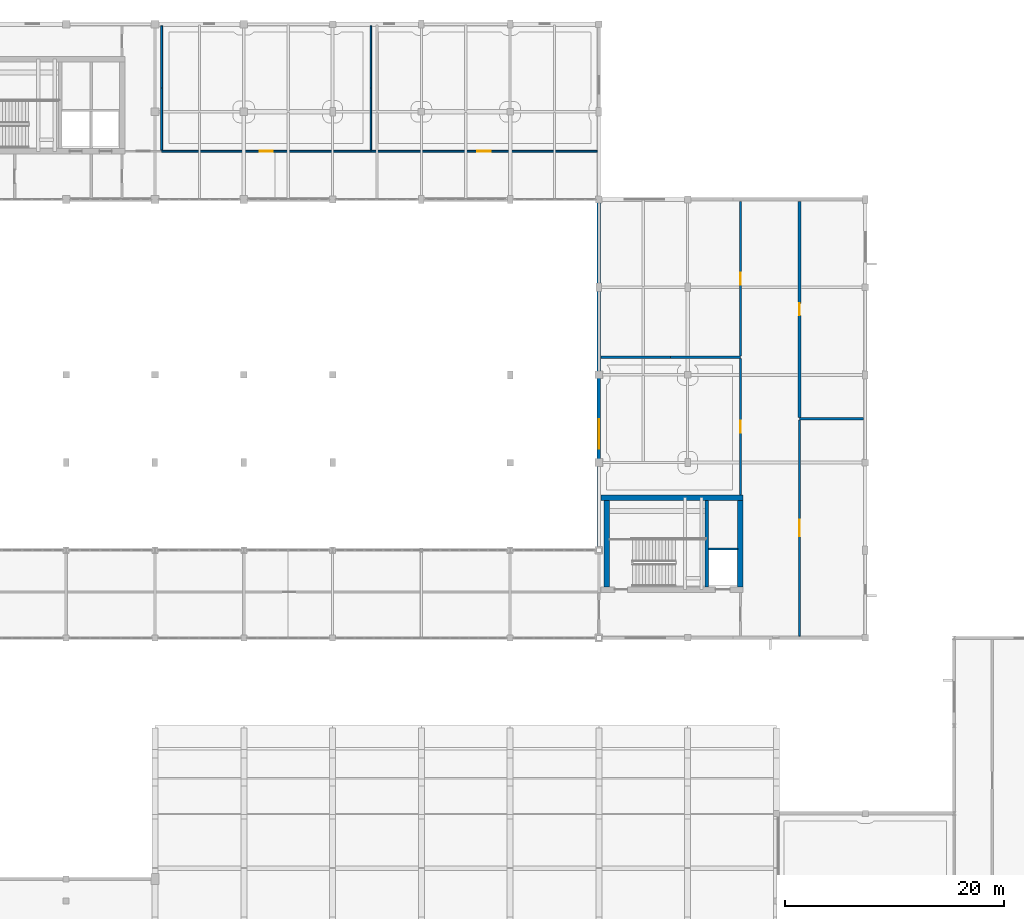
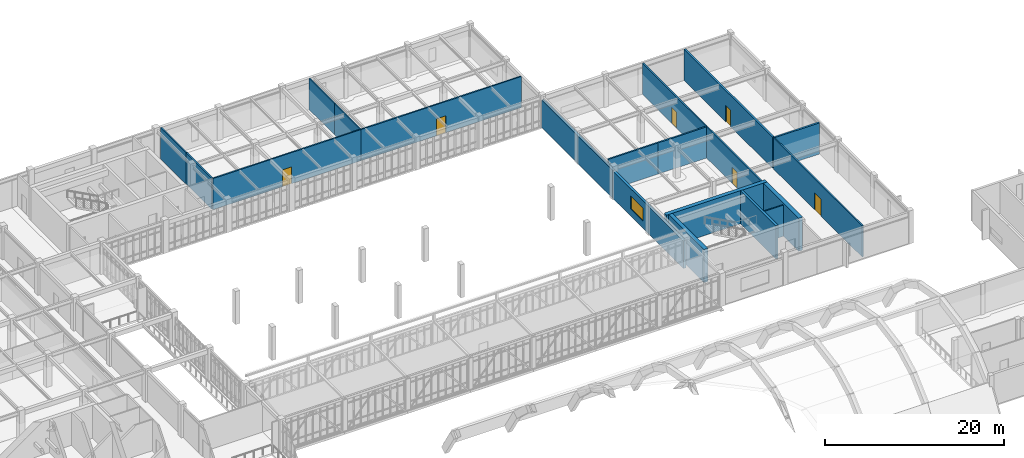
# One storey, part 53 of 67: 20 walls, 6 doors, 1 window, 7 openings.
"""IFC4 building model written with IfcOpenShell, lengths in metres."""

import ifcopenshell
import ifcopenshell.guid

model = None  # the IFC model being written
_history = None  # IfcOwnerHistory: only IFC2X3 demands one
_inside = {}  # id of a spatial element -> (the spatial element, [elements in it])
_under = {}  # id of a project, library or spatial element -> (it, [spatial elements below it])
_declared = {}  # id of a project -> (the project, [libraries it declares])
_typed = {}  # id of a type object -> (the type object, [elements of that type])
_made_of = {}  # id of a material, layer set ... -> (it, [elements and type objects made of it])


def new_model(schema):
    """Start an empty IFC model of exactly this schema.

    Asked for "IFC4X3", IfcOpenShell would pick the latest addendum, in which some entities
    have other attributes; the version numbers below select the first issue.
    IFC2X3 requires an IfcOwnerHistory on every rooted entity: one is made here for all.
    """
    global model, _history
    if schema == "IFC4X3":
        model = ifcopenshell.file(schema_version=(4, 3, 0, 0))
    else:
        model = ifcopenshell.file(schema=schema)
    _inside.clear()
    _under.clear()
    _declared.clear()
    _typed.clear()
    _made_of.clear()
    _history = None
    if model.schema == "IFC2X3":
        org = make("IfcOrganization", Name="unknown")
        user = make(
            "IfcPersonAndOrganization",
            ThePerson=make("IfcPerson", FamilyName="unknown"),
            TheOrganization=org,
        )
        app = make(
            "IfcApplication",
            ApplicationDeveloper=org,
            Version="unknown",
            ApplicationFullName="unknown",
            ApplicationIdentifier="unknown",
        )
        _history = make(
            "IfcOwnerHistory",
            OwningUser=user,
            OwningApplication=app,
            ChangeAction="ADDED",
            CreationDate=0,
        )
    return model


def make(cls, **values):
    """One entity of the class cls with the attributes given. An attribute that is None is left unset."""
    return model.create_entity(
        cls, **{name: value for name, value in values.items() if value is not None}
    )


def rooted(cls, **values):
    """An entity with a GlobalId (a new one), such as an element, a storey or a relation."""
    return make(cls, GlobalId=ifcopenshell.guid.new(), OwnerHistory=_history, **values)


def si_unit(unit_type, name, prefix=None):
    """IfcSIUnit, for example si_unit("LENGTHUNIT", "METRE", prefix="MILLI")."""
    return make("IfcSIUnit", UnitType=unit_type, Prefix=prefix, Name=name)


def assignment(units):
    """IfcUnitAssignment: the units of a project."""
    return None if units is None else make("IfcUnitAssignment", Units=units)


def point(xyz):
    """IfcCartesianPoint."""
    return None if xyz is None else make("IfcCartesianPoint", Coordinates=xyz)


def direction(xyz):
    """IfcDirection."""
    return None if xyz is None else make("IfcDirection", DirectionRatios=xyz)


def frame(location, z_axis=None, x_axis=None):
    """IfcAxis2Placement3D, a coordinate frame: its origin and axes. An axis left out is left unset."""
    return make(
        "IfcAxis2Placement3D",
        Location=point(location),
        Axis=direction(z_axis),
        RefDirection=direction(x_axis),
    )


def frame_2d(location, x_axis=None):
    """IfcAxis2Placement2D, a coordinate frame in the plane: its origin and x axis."""
    return make(
        "IfcAxis2Placement2D", Location=point(location), RefDirection=direction(x_axis)
    )


def origin():
    """The frame at (0, 0, 0) with its axes left unset."""
    return frame((0.0, 0.0, 0.0))


def place(relative_to, where):
    """IfcLocalPlacement: puts the frame where relative to a parent placement (None: the world)."""
    return make(
        "IfcLocalPlacement", PlacementRelTo=relative_to, RelativePlacement=where
    )


def context(
    kind, dimensions, precision=None, world=None, true_north=None, identifier=None
):
    """IfcGeometricRepresentationContext, for example the 3D "Model" context."""
    return make(
        "IfcGeometricRepresentationContext",
        ContextIdentifier=identifier,
        ContextType=kind,
        CoordinateSpaceDimension=dimensions,
        Precision=precision,
        WorldCoordinateSystem=world,
        TrueNorth=true_north,
    )


def subcontext(parent, identifier, kind, view, scale=None):
    """IfcGeometricRepresentationSubContext, for example "Body" below "Model"."""
    return make(
        "IfcGeometricRepresentationSubContext",
        ContextIdentifier=identifier,
        ContextType=kind,
        ParentContext=parent,
        TargetScale=scale,
        TargetView=view,
    )


def project(units=None, contexts=None):
    """IfcProject with its units and contexts."""
    return rooted(
        "IfcProject",
        Name="project",
        RepresentationContexts=contexts,
        UnitsInContext=assignment(units),
    )


def spatial(cls, under=None, at=None, **own):
    """A site, building, storey or space (cls), placed at a placement, below another one or the project."""
    s = rooted(cls, ObjectPlacement=at, **own)
    if under is not None:
        _under.setdefault(under.id(), (under, []))[1].append(s)
    return s


def profile(cls, at=None, kind="AREA", **sizes):
    """A parametric profile (cls). Its sizes go by their IFC names, for example OverallWidth=200.0."""
    return make(cls, ProfileType=kind, Position=at, **sizes)


def rectangle(**sizes):
    """IfcRectangleProfileDef."""
    return profile("IfcRectangleProfileDef", **sizes)


def extrude(swept, where, along, depth):
    """IfcExtrudedAreaSolid: the profile swept, set in the frame where, extruded along a direction by depth."""
    return make(
        "IfcExtrudedAreaSolid",
        SweptArea=swept,
        Position=where,
        ExtrudedDirection=direction(along),
        Depth=depth,
    )


def shape(context_of_items, identifier, shape_type, items):
    """IfcShapeRepresentation: the items that make up one representation, for example the "Body"."""
    return make(
        "IfcShapeRepresentation",
        ContextOfItems=context_of_items,
        RepresentationIdentifier=identifier,
        RepresentationType=shape_type,
        Items=items,
    )


def material(Name=None, Category=None):
    """IfcMaterial."""
    return make("IfcMaterial", Name=Name, Category=Category)


def layer(
    of_material, thickness, ventilated=None, Name=None, Category=None, Priority=None
):
    """IfcMaterialLayer: one layer of a wall or slab, of a material (None: an air gap)."""
    return make(
        "IfcMaterialLayer",
        Material=of_material,
        LayerThickness=thickness,
        IsVentilated=ventilated,
        Name=Name,
        Category=Category,
        Priority=Priority,
    )


def layer_set(layers, Name=None):
    """IfcMaterialLayerSet."""
    return make("IfcMaterialLayerSet", MaterialLayers=layers, LayerSetName=Name)


def made_of(thing, what):
    """Note that an element or type object is made of a material, layer set ...; save() writes the relation."""
    if what is not None:
        _made_of.setdefault(what.id(), (what, []))[1].append(thing)
    return thing


def type_object(cls, material=None, **own):
    """A type object (cls), such as IfcWallType, which elements share."""
    return made_of(rooted(cls, **own), material)


def element(
    cls,
    number,
    at=None,
    inside=None,
    cuts=None,
    type_object=None,
    material=None,
    context=None,
    identifier="Body",
    shape_type=None,
    held_by="IfcProductDefinitionShape",
    body=None,
    shapes=None,
    **own,
):
    """One element of the class cls, such as IfcWall. Its Tag is "e" and its number.

    at: its placement. inside: the storey or other place that contains it. cuts: it is an
    opening in that element (IfcRelVoidsElement). A single representation is given by context,
    identifier, shape_type and body (its items); several are given by shapes. held_by: the class
    of the entity that holds the representations. save() writes the other relations.
    """
    e = rooted(cls, Tag="e%d" % number, ObjectPlacement=at, **own)
    if body is not None:
        shapes = [shape(context, identifier, shape_type, body)]
    if shapes is not None:
        e.Representation = make(held_by, Representations=shapes)
    if inside is not None:
        _inside.setdefault(inside.id(), (inside, []))[1].append(e)
    if cuts is not None:
        rooted(
            "IfcRelVoidsElement", RelatingBuildingElement=cuts, RelatedOpeningElement=e
        )
    if type_object is not None:
        _typed.setdefault(type_object.id(), (type_object, []))[1].append(e)
    return made_of(e, material)


def fill(opening, filler):
    """IfcRelFillsElement: the door or window that sits in an opening."""
    return rooted(
        "IfcRelFillsElement",
        RelatingOpeningElement=opening,
        RelatedBuildingElement=filler,
    )


def aggregate(whole, parts):
    """IfcRelAggregates: a whole, such as a stair, and the parts it consists of."""
    return rooted("IfcRelAggregates", RelatingObject=whole, RelatedObjects=parts)


def save(model, path):
    """Write the relations noted so far, then the file.

    IfcRelAggregates (storeys below a building ...), IfcRelContainedInSpatialStructure (elements
    in a storey), IfcRelDefinesByType, IfcRelAssociatesMaterial and IfcRelDeclares: one each for
    every whole, place, type object, material and project.
    """
    for whole, parts in _under.values():
        aggregate(whole, parts)
    for where, things in _inside.values():
        rooted(
            "IfcRelContainedInSpatialStructure",
            RelatedElements=things,
            RelatingStructure=where,
        )
    for kind, things in _typed.values():
        rooted("IfcRelDefinesByType", RelatedObjects=things, RelatingType=kind)
    for what, things in _made_of.values():
        rooted("IfcRelAssociatesMaterial", RelatedObjects=things, RelatingMaterial=what)
    for by, libraries in _declared.values():
        rooted("IfcRelDeclares", RelatingContext=by, RelatedDefinitions=libraries)
    model.write(path)


model = new_model("IFC4")

# Units and contexts
model_context = context("Model", 3, precision=1e-05, world=origin(), true_north=direction((0.0, 1.0)))
body_context = subcontext(model_context, "Body", "Model", "MODEL_VIEW")
ifc_project = project(units=[si_unit("LENGTHUNIT", "METRE"), si_unit("AREAUNIT", "SQUARE_METRE"), si_unit("VOLUMEUNIT", "CUBIC_METRE"), si_unit("PLANEANGLEUNIT", "RADIAN"), si_unit("MASSUNIT", "GRAM", prefix="KILO")], contexts=[model_context])

# Site, building, storey
site_placement = place(None, origin())
site = spatial("IfcSite", under=ifc_project, at=site_placement, CompositionType="ELEMENT")
building_placement = place(site_placement, origin())
building = spatial("IfcBuilding", under=site, at=building_placement, Name="Tarnveldt Square Police Headquarters", CompositionType="ELEMENT")
storey_placement = place(building_placement, frame((0.0, 0.0, 10.199951171875)))
storey = spatial("IfcBuildingStorey", under=building, at=storey_placement, Name="L02", CompositionType="ELEMENT", Elevation=10.199951171875)

# Walls
ifc_material_1 = material(Name="Fire-rated Type X gypsum board on steel studs", Category="steel")
ifc_layer_1 = layer(ifc_material_1, 0.199951171875)
ifc_layer_set_1 = layer_set([ifc_layer_1], Name="Fire-rated Type X gypsum board on steel studs")
wall_type_1 = type_object("IfcWallType", Name="WL-ACOUST-200", PredefinedType="PARTITIONING", material=ifc_layer_set_1)
for number, where, z_axis, x_axis, name in (
    (1, (105.468017578125, 81.60009765625, 0.0), (0.0, 0.0, 1.0), (1.0, 0.0, 0.0), "L02 Interior Partition Wall 0370"),
    (2, (111.833984375, 81.60009765625, 0.0), (0.0, 0.0, 1.0), (1.0, 0.0, 0.0), "L02 Interior Partition Wall 0371"),
):
    element("IfcWall", number, at=place(storey_placement, frame(where, z_axis=z_axis, x_axis=x_axis)), inside=storey, type_object=wall_type_1, Name=name, PredefinedType="PARTITIONING", context=body_context, shape_type="SweptSolid", body=[
        extrude(rectangle(XDim=6.365966796875, YDim=0.199951171875, at=frame_2d((3.18310546875, 0.0))), origin(), (0.0, 0.0, 1.0), 4.239990234375),
    ])
ifc_material_2 = material(Name="Concrete 50 MPa", Category="concrete")
ifc_layer_2 = layer(ifc_material_2, 0.449951171875)
ifc_layer_set_2 = layer_set([ifc_layer_2], Name="Concrete 50 MPa")
wall_type_2 = type_object("IfcWallType", Name="WL-CORE-450", PredefinedType="SHEAR", material=ifc_layer_set_2)
wall_1_placement = place(storey_placement, frame((115.14990234375, 60.64990234375, 0.0), z_axis=(0.0, 0.0, 1.0), x_axis=(0.0, 1.0, 0.0)))
element("IfcWall", 3, at=wall_1_placement, inside=storey, type_object=wall_type_2, Name="Core K4 East Custody and Tactical Core L02 Stair-Lift Divider Shear Wall", PredefinedType="SHEAR", context=body_context, shape_type="SweptSolid", body=[
    extrude(rectangle(XDim=7.900146484375, YDim=0.300048828125, at=frame_2d((3.9501953125, 0.0))), origin(), (0.0, 0.0, 1.0), 4.5),
])
ifc_layer_3 = layer(ifc_material_2, 0.5)
ifc_layer_set_3 = layer_set([ifc_layer_3], Name="Concrete 50 MPa")
wall_type_3 = type_object("IfcWallType", Name="WL-CORE-500", PredefinedType="SHEAR", material=ifc_layer_set_3)
wall_2_placement = place(storey_placement, frame((105.47998046875, 68.800048828125, 0.0), z_axis=(0.0, 0.0, 1.0), x_axis=(1.0, 0.0, 0.0)))
element("IfcWall", 4, at=wall_2_placement, inside=storey, type_object=wall_type_3, Name="Core K4 East Custody and Tactical Core L02 North Shear Wall", PredefinedType="SHEAR", context=body_context, shape_type="SweptSolid", body=[
    extrude(rectangle(XDim=12.969970703125, YDim=0.5, at=frame_2d((6.48486328125, 0.0))), origin(), (0.0, 0.0, 1.0), 4.5),
])
for number, where, z_axis, x_axis, name in (
    (5, (106.0, 60.64990234375, 0.0), (0.0, 0.0, 1.0), (0.0, 1.0, 0.0), "Core K4 East Custody and Tactical Core L02 West Shear Wall"),
    (6, (118.199951171875, 60.64990234375, 0.0), (0.0, 0.0, 1.0), (0.0, 1.0, 0.0), "Core K4 East Custody and Tactical Core L02 East Shear Wall"),
):
    element("IfcWall", number, at=place(storey_placement, frame(where, z_axis=z_axis, x_axis=x_axis)), inside=storey, type_object=wall_type_3, Name=name, PredefinedType="SHEAR", context=body_context, shape_type="SweptSolid", body=[
        extrude(rectangle(XDim=7.900146484375, YDim=0.5, at=frame_2d((3.9501953125, 0.0))), origin(), (0.0, 0.0, 1.0), 4.5),
    ])
ifc_material_3 = material(Name="Concrete 40 MPa", Category="concrete")
ifc_layer_4 = layer(ifc_material_3, 0.320068359375)
ifc_layer_set_4 = layer_set([ifc_layer_4], Name="Concrete 40 MPa")
wall_type_4 = type_object("IfcWallType", Name="WL-EXT-BH320", PredefinedType="SOLIDWALL", material=ifc_layer_set_4)
wall_3_placement = place(storey_placement, frame((105.300048828125, 95.820068359375, 0.0), z_axis=(0.0, 0.0, 1.0), x_axis=(0.0, -1.0, 0.0)))
element("IfcWall", 7, at=wall_3_placement, inside=storey, type_object=wall_type_4, Name="L02 Brutalist Exterior Wall 0146", PredefinedType="SOLIDWALL", context=body_context, shape_type="SweptSolid", body=[
    extrude(rectangle(XDim=15.820068359375, YDim=0.320068359375, at=frame_2d((7.91015625, 0.0))), origin(), (0.0, 0.0, 1.0), 3.76904296875),
])

# Wall, opening, window
wall_4_placement = place(storey_placement, frame((105.300048828125, 80.0, 0.0), z_axis=(0.0, 0.0, 1.0), x_axis=(0.0, -1.0, 0.0)))
wall_4 = element("IfcWall", 8, at=wall_4_placement, inside=storey, type_object=wall_type_4, Name="L02 Brutalist Exterior Wall 0147", PredefinedType="SOLIDWALL", context=body_context, shape_type="SweptSolid", body=[
    extrude(rectangle(XDim=15.820068359375, YDim=0.320068359375, at=frame_2d((7.91015625, 0.0))), origin(), (0.0, 0.0, 1.0), 3.73193359375),
])
opening_1_placement = place(wall_4_placement, frame((4.050048828125, 0.0, 0.949951171875)))
opening_1 = element("IfcOpeningElement", 9, at=opening_1_placement, cuts=wall_4, Name="Opening W15", PredefinedType="OPENING", context=body_context, shape_type="SweptSolid", body=[
    extrude(rectangle(XDim=2.699951171875, YDim=1.800048828125, at=frame_2d((1.35009765625, 0.89990234375))), frame((0.0, 0.169921875, 0.0), z_axis=(0.0, -1.0, 0.0), x_axis=(1.0, 0.0, 0.0)), (0.0, 0.0, 1.0), 0.340087890625),
])
ifc_material_4 = material(Name="Triple-glazed low-e laminated vision glass", Category="glass")
window_type = type_object("IfcWindowType", Name="WIN-DR-270x180", PartitioningType="TRIPLE_PANEL_VERTICAL", PredefinedType="WINDOW", material=ifc_material_4)
window_placement = place(opening_1_placement, origin())
window = element("IfcWindow", 10, at=window_placement, inside=storey, type_object=window_type, Name="L02 Deep-Reveal Brutalist Window 0063", OverallHeight=1.800048828125, OverallWidth=2.699951171875, PartitioningType="TRIPLE_PANEL_VERTICAL", PredefinedType="WINDOW", context=body_context, shape_type="SweptSolid", body=[
    extrude(rectangle(XDim=2.699951171875, YDim=1.800048828125, at=frame_2d((1.35009765625, 0.89990234375))), frame((0.0, 0.030029296875, 0.0), z_axis=(0.0, -1.0, 0.0), x_axis=(1.0, 0.0, 0.0)), (0.0, 0.0, 1.0), 0.06005859375),
])
fill(opening_1, window)

# Wall, opening, door
ifc_layer_5 = layer(ifc_material_1, 0.179931640625)
ifc_layer_set_5 = layer_set([ifc_layer_5], Name="Fire-rated Type X gypsum board on steel studs")
wall_type_5 = type_object("IfcWallType", Name="WL-FIRE-180", PredefinedType="PARTITIONING", material=ifc_layer_set_5)
wall_5_placement = place(storey_placement, frame((65.39990234375, 100.39990234375, 0.0), z_axis=(0.0, 0.0, 1.0), x_axis=(1.0, 0.0, 0.0)))
wall_5 = element("IfcWall", 11, at=wall_5_placement, inside=storey, type_object=wall_type_5, Name="L02 Interior Partition Wall 0368", PredefinedType="PARTITIONING", context=body_context, shape_type="SweptSolid", body=[
    extrude(rectangle(XDim=19.10009765625, YDim=0.179931640625, at=frame_2d((9.550048828125, 0.0))), origin(), (0.0, 0.0, 1.0), 4.239990234375),
])
opening_2_placement = place(wall_5_placement, frame((8.949951171875, 0.0, 0.0)))
opening_2 = element("IfcOpeningElement", 12, at=opening_2_placement, cuts=wall_5, Name="Opening D10", PredefinedType="OPENING", context=body_context, shape_type="SweptSolid", body=[
    extrude(rectangle(XDim=1.199951171875, YDim=2.300048828125, at=frame_2d((0.60009765625, 1.14990234375))), frame((0.0, 0.099853515625, 0.0), z_axis=(0.0, -1.0, 0.0), x_axis=(1.0, 0.0, 0.0)), (0.0, 0.0, 1.0), 0.199951171875),
])
ifc_material_5 = material(Name="Insulated hollow metal steel door leaf", Category="steel")
door_type_1 = type_object("IfcDoorType", Name="DR-LAB-1200", OperationType="NOTDEFINED", PredefinedType="DOOR", material=ifc_material_5)
door_1_placement = place(opening_2_placement, origin())
door_1 = element("IfcDoor", 13, at=door_1_placement, inside=storey, type_object=door_type_1, Name="Forensic Drug Chemistry Laboratory Door", OperationType="SINGLE_SWING_RIGHT", OverallHeight=2.300048828125, OverallWidth=1.199951171875, PredefinedType="DOOR", context=body_context, shape_type="SweptSolid", body=[
    extrude(rectangle(XDim=1.199951171875, YDim=2.300048828125, at=frame_2d((0.60009765625, 1.14990234375))), frame((0.0, 0.02490234375, 0.0), z_axis=(0.0, -1.0, 0.0), x_axis=(1.0, 0.0, 0.0)), (0.0, 0.0, 1.0), 0.050048828125),
])
fill(opening_2, door_1)

wall_6_placement = place(storey_placement, frame((84.5, 100.39990234375, 0.0), z_axis=(0.0, 0.0, 1.0), x_axis=(1.0, 0.0, 0.0)))
wall_6 = element("IfcWall", 14, at=wall_6_placement, inside=storey, type_object=wall_type_5, Name="L02 Interior Partition Wall 0369", PredefinedType="PARTITIONING", context=body_context, shape_type="SweptSolid", body=[
    extrude(rectangle(XDim=20.632080078125, YDim=0.179931640625, at=frame_2d((10.31591796875, 0.0))), origin(), (0.0, 0.0, 1.0), 4.239990234375),
])
opening_3_placement = place(wall_6_placement, frame((9.716064453125, 0.0, 0.0)))
opening_3 = element("IfcOpeningElement", 15, at=opening_3_placement, cuts=wall_6, Name="Opening D10", PredefinedType="OPENING", context=body_context, shape_type="SweptSolid", body=[
    extrude(rectangle(XDim=1.199951171875, YDim=2.300048828125, at=frame_2d((0.60009765625, 1.14990234375))), frame((0.0, 0.099853515625, 0.0), z_axis=(0.0, -1.0, 0.0), x_axis=(1.0, 0.0, 0.0)), (0.0, 0.0, 1.0), 0.199951171875),
])
door_2_placement = place(opening_3_placement, origin())
door_2 = element("IfcDoor", 16, at=door_2_placement, inside=storey, type_object=door_type_1, Name="Mass Spectrometry Analytical Laboratory Door", OperationType="SINGLE_SWING_LEFT", OverallHeight=2.300048828125, OverallWidth=1.199951171875, PredefinedType="DOOR", context=body_context, shape_type="SweptSolid", body=[
    extrude(rectangle(XDim=1.199951171875, YDim=2.300048828125, at=frame_2d((0.60009765625, 1.14990234375))), frame((0.0, 0.02490234375, 0.0), z_axis=(0.0, -1.0, 0.0), x_axis=(1.0, 0.0, 0.0)), (0.0, 0.0, 1.0), 0.050048828125),
])
fill(opening_3, door_2)

# Walls
for number, where, z_axis, x_axis, name in (
    (17, (65.39990234375, 100.498046875, 0.0), (0.0, 0.0, 1.0), (0.0, 1.0, 0.0), "L02 Interior Partition Wall 0419"),
    (18, (65.39990234375, 106.1650390625, 0.0), (0.0, 0.0, 1.0), (0.0, 1.0, 0.0), "L02 Interior Partition Wall 0420"),
):
    element("IfcWall", number, at=place(storey_placement, frame(where, z_axis=z_axis, x_axis=x_axis)), inside=storey, type_object=wall_type_5, Name=name, PredefinedType="PARTITIONING", context=body_context, shape_type="SweptSolid", body=[
        extrude(rectangle(XDim=5.6669921875, YDim=0.179931640625, at=frame_2d((2.83349609375, 0.0))), origin(), (0.0, 0.0, 1.0), 4.239990234375),
    ])

# Wall, opening, door
wall_7_placement = place(storey_placement, frame((118.199951171875, 69.05810546875, 0.0), z_axis=(0.0, 0.0, 1.0), x_axis=(0.0, 1.0, 0.0)))
wall_7 = element("IfcWall", 19, at=wall_7_placement, inside=storey, type_object=wall_type_5, Name="L02 Interior Partition Wall 0425", PredefinedType="PARTITIONING", context=body_context, shape_type="SweptSolid", body=[
    extrude(rectangle(XDim=12.433837890625, YDim=0.179931640625, at=frame_2d((6.216796875, 0.0))), origin(), (0.0, 0.0, 1.0), 4.239990234375),
])
opening_4_placement = place(wall_7_placement, frame((5.6669921875, 0.0, 0.0)))
opening_4 = element("IfcOpeningElement", 20, at=opening_4_placement, cuts=wall_7, Name="Opening D07", PredefinedType="OPENING", context=body_context, shape_type="SweptSolid", body=[
    extrude(rectangle(XDim=1.10009765625, YDim=2.199951171875, at=frame_2d((0.550048828125, 1.10009765625))), frame((0.0, 0.099853515625, 0.0), z_axis=(0.0, -1.0, 0.0), x_axis=(1.0, 0.0, 0.0)), (0.0, 0.0, 1.0), 0.199951171875),
])
ifc_material_6 = material(Name="Solid core architectural birch door leaf", Category="wood")
door_type_2 = type_object("IfcDoorType", Name="DR-INT-1100", OperationType="NOTDEFINED", PredefinedType="DOOR", material=ifc_material_6)
door_3_placement = place(opening_4_placement, origin())
door_3 = element("IfcDoor", 21, at=door_3_placement, inside=storey, type_object=door_type_2, Name="Emergency Task Force Briefing Room Door", OperationType="SINGLE_SWING_RIGHT", OverallHeight=2.199951171875, OverallWidth=1.10009765625, PredefinedType="DOOR", context=body_context, shape_type="SweptSolid", body=[
    extrude(rectangle(XDim=1.10009765625, YDim=2.199951171875, at=frame_2d((0.550048828125, 1.10009765625))), frame((0.0, 0.02490234375, 0.0), z_axis=(0.0, -1.0, 0.0), x_axis=(1.0, 0.0, 0.0)), (0.0, 0.0, 1.0), 0.050048828125),
])
fill(opening_4, door_3)

wall_8_placement = place(storey_placement, frame((118.199951171875, 81.7080078125, 0.0), z_axis=(0.0, 0.0, 1.0), x_axis=(0.0, 1.0, 0.0)))
wall_8 = element("IfcWall", 22, at=wall_8_placement, inside=storey, type_object=wall_type_5, Name="L02 Interior Partition Wall 0426", PredefinedType="PARTITIONING", context=body_context, shape_type="SweptSolid", body=[
    extrude(rectangle(XDim=14.1240234375, YDim=0.179931640625, at=frame_2d((7.06201171875, 0.0))), origin(), (0.0, 0.0, 1.0), 4.239990234375),
])
opening_5_placement = place(wall_8_placement, frame((6.511962890625, 0.0, 0.0)))
opening_5 = element("IfcOpeningElement", 23, at=opening_5_placement, cuts=wall_8, Name="Opening D07", PredefinedType="OPENING", context=body_context, shape_type="SweptSolid", body=[
    extrude(rectangle(XDim=1.10009765625, YDim=2.199951171875, at=frame_2d((0.550048828125, 1.10009765625))), frame((0.0, 0.099853515625, 0.0), z_axis=(0.0, -1.0, 0.0), x_axis=(1.0, 0.0, 0.0)), (0.0, 0.0, 1.0), 0.199951171875),
])
door_4_placement = place(opening_5_placement, origin())
door_4 = element("IfcDoor", 24, at=door_4_placement, inside=storey, type_object=door_type_2, Name="Emergency Task Force Planning Office Door", OperationType="SINGLE_SWING_LEFT", OverallHeight=2.199951171875, OverallWidth=1.10009765625, PredefinedType="DOOR", context=body_context, shape_type="SweptSolid", body=[
    extrude(rectangle(XDim=1.10009765625, YDim=2.199951171875, at=frame_2d((0.550048828125, 1.10009765625))), frame((0.0, 0.02490234375, 0.0), z_axis=(0.0, -1.0, 0.0), x_axis=(1.0, 0.0, 0.0)), (0.0, 0.0, 1.0), 0.050048828125),
])
fill(opening_5, door_4)

wall_9_placement = place(storey_placement, frame((123.60009765625, 56.16796875, 0.0), z_axis=(0.0, 0.0, 1.0), x_axis=(0.0, 1.0, 0.0)))
wall_9 = element("IfcWall", 25, at=wall_9_placement, inside=storey, type_object=wall_type_5, Name="L02 Interior Partition Wall 0427", PredefinedType="PARTITIONING", context=body_context, shape_type="SweptSolid", body=[
    extrude(rectangle(XDim=19.7041015625, YDim=0.179931640625, at=frame_2d((9.85205078125, 0.0))), origin(), (0.0, 0.0, 1.0), 4.239990234375),
])
opening_6_placement = place(wall_9_placement, frame((9.10205078125, 0.0, 0.0)))
opening_6 = element("IfcOpeningElement", 26, at=opening_6_placement, cuts=wall_9, Name="Opening D22", PredefinedType="OPENING", context=body_context, shape_type="SweptSolid", body=[
    extrude(rectangle(XDim=1.5, YDim=2.300048828125, at=frame_2d((0.75, 1.14990234375))), frame((0.0, 0.099853515625, 0.0), z_axis=(0.0, -1.0, 0.0), x_axis=(1.0, 0.0, 0.0)), (0.0, 0.0, 1.0), 0.199951171875),
])
door_type_3 = type_object("IfcDoorType", Name="DR-PAIR-1500", OperationType="DOUBLE_DOOR_SINGLE_SWING", PredefinedType="DOOR", material=ifc_material_6)
door_5_placement = place(opening_6_placement, frame((1.5, 0.0, 0.0), z_axis=(0.0, 0.0, 1.0), x_axis=(-1.0, 0.0, 0.0)))
door_5 = element("IfcDoor", 27, at=door_5_placement, inside=storey, type_object=door_type_3, Name="De-Escalation Judgment Simulation Theatre Door", OperationType="DOUBLE_DOOR_SINGLE_SWING", OverallHeight=2.300048828125, OverallWidth=1.5, PredefinedType="DOOR", context=body_context, shape_type="SweptSolid", body=[
    extrude(rectangle(XDim=1.5, YDim=2.300048828125, at=frame_2d((0.75, 1.14990234375))), frame((0.0, 0.02490234375, 0.0), z_axis=(0.0, -1.0, 0.0), x_axis=(1.0, 0.0, 0.0)), (0.0, 0.0, 1.0), 0.050048828125),
])
fill(opening_6, door_5)

# Wall
ifc_material_7 = material(Name="Concrete block masonry 15 MPa", Category="masonry")
ifc_layer_6 = layer(ifc_material_7, 0.239990234375)
ifc_layer_set_6 = layer_set([ifc_layer_6], Name="Concrete block masonry 15 MPa")
wall_type_6 = type_object("IfcWallType", Name="WL-FIRE-240", PredefinedType="PARTITIONING", material=ifc_layer_set_6)
wall_10_placement = place(storey_placement, frame((123.60009765625, 76.0, 0.0), z_axis=(0.0, 0.0, 1.0), x_axis=(1.0, 0.0, 0.0)))
element("IfcWall", 28, at=wall_10_placement, inside=storey, type_object=wall_type_6, Name="L02 Interior Partition Wall 0374", PredefinedType="PARTITIONING", context=body_context, shape_type="SweptSolid", body=[
    extrude(rectangle(XDim=5.831787109375, YDim=0.239990234375, at=frame_2d((2.916015625, 0.0))), origin(), (0.0, 0.0, 1.0), 4.239990234375),
])

# Wall, opening, door
wall_11_placement = place(storey_placement, frame((123.60009765625, 76.1279296875, 0.0), z_axis=(0.0, 0.0, 1.0), x_axis=(0.0, 1.0, 0.0)))
wall_11 = element("IfcWall", 29, at=wall_11_placement, inside=storey, type_object=wall_type_6, Name="L02 Interior Partition Wall 0428", PredefinedType="PARTITIONING", context=body_context, shape_type="SweptSolid", body=[
    extrude(rectangle(XDim=19.7041015625, YDim=0.239990234375, at=frame_2d((9.85205078125, 0.0))), origin(), (0.0, 0.0, 1.0), 4.239990234375),
])
opening_7_placement = place(wall_11_placement, frame((9.302001953125, 0.0, 0.0)))
opening_7 = element("IfcOpeningElement", 30, at=opening_7_placement, cuts=wall_11, Name="Opening D18", PredefinedType="OPENING", context=body_context, shape_type="SweptSolid", body=[
    extrude(rectangle(XDim=1.10009765625, YDim=2.25, at=frame_2d((0.550048828125, 1.125))), frame((0.0, 0.1298828125, 0.0), z_axis=(0.0, -1.0, 0.0), x_axis=(1.0, 0.0, 0.0)), (0.0, 0.0, 1.0), 0.260009765625),
])
door_type_4 = type_object("IfcDoorType", Name="DR-FD90-1100", OperationType="NOTDEFINED", PredefinedType="DOOR", material=ifc_material_5)
door_6_placement = place(opening_7_placement, frame((1.10009765625, 0.0, 0.0), z_axis=(0.0, 0.0, 1.0), x_axis=(-1.0, 0.0, 0.0)))
door_6 = element("IfcDoor", 31, at=door_6_placement, inside=storey, type_object=door_type_4, Name="Tactical Equipment and Armoury Vault L02 Door", OperationType="SINGLE_SWING_RIGHT", OverallHeight=2.25, OverallWidth=1.10009765625, PredefinedType="DOOR", context=body_context, shape_type="SweptSolid", body=[
    extrude(rectangle(XDim=1.10009765625, YDim=2.25, at=frame_2d((0.550048828125, 1.125))), frame((0.0, 0.02490234375, 0.0), z_axis=(0.0, -1.0, 0.0), x_axis=(1.0, 0.0, 0.0)), (0.0, 0.0, 1.0), 0.050048828125),
])
fill(opening_7, door_6)

# Walls
ifc_layer_7 = layer(ifc_material_1, 0.139892578125)
ifc_layer_set_7 = layer_set([ifc_layer_7], Name="Fire-rated Type X gypsum board on steel studs")
wall_type_7 = type_object("IfcWallType", Name="WL-LAB-140", PredefinedType="PARTITIONING", material=ifc_layer_set_7)
for number, where, z_axis, x_axis, name in (
    (32, (84.5, 100.498046875, 0.0), (0.0, 0.0, 1.0), (0.0, 1.0, 0.0), "L02 Interior Partition Wall 0421"),
    (33, (84.5, 106.1650390625, 0.0), (0.0, 0.0, 1.0), (0.0, 1.0, 0.0), "L02 Interior Partition Wall 0422"),
):
    element("IfcWall", number, at=place(storey_placement, frame(where, z_axis=z_axis, x_axis=x_axis)), inside=storey, type_object=wall_type_7, Name=name, PredefinedType="PARTITIONING", context=body_context, shape_type="SweptSolid", body=[
        extrude(rectangle(XDim=5.6669921875, YDim=0.139892578125, at=frame_2d((2.83349609375, 0.0))), origin(), (0.0, 0.0, 1.0), 4.239990234375),
    ])
ifc_layer_8 = layer(ifc_material_1, 0.14990234375)
ifc_layer_set_8 = layer_set([ifc_layer_8], Name="Fire-rated Type X gypsum board on steel studs")
wall_type_8 = type_object("IfcWallType", Name="WL-SHAFT-150", PredefinedType="PARTITIONING", material=ifc_layer_set_8)
wall_12_placement = place(storey_placement, frame((115.300048828125, 64.1201171875, 0.0), z_axis=(0.0, 0.0, 1.0), x_axis=(1.0, 0.0, 0.0)))
element("IfcWall", 34, at=wall_12_placement, inside=storey, type_object=wall_type_8, Name="K4 L02 Elevator Shaft Back Wall", PredefinedType="PARTITIONING", context=body_context, shape_type="SweptSolid", body=[
    extrude(rectangle(XDim=2.64990234375, YDim=0.14990234375, at=frame_2d((1.324951171875, 0.0))), origin(), (0.0, 0.0, 1.0), 4.239990234375),
])

save(model, "model.ifc")
